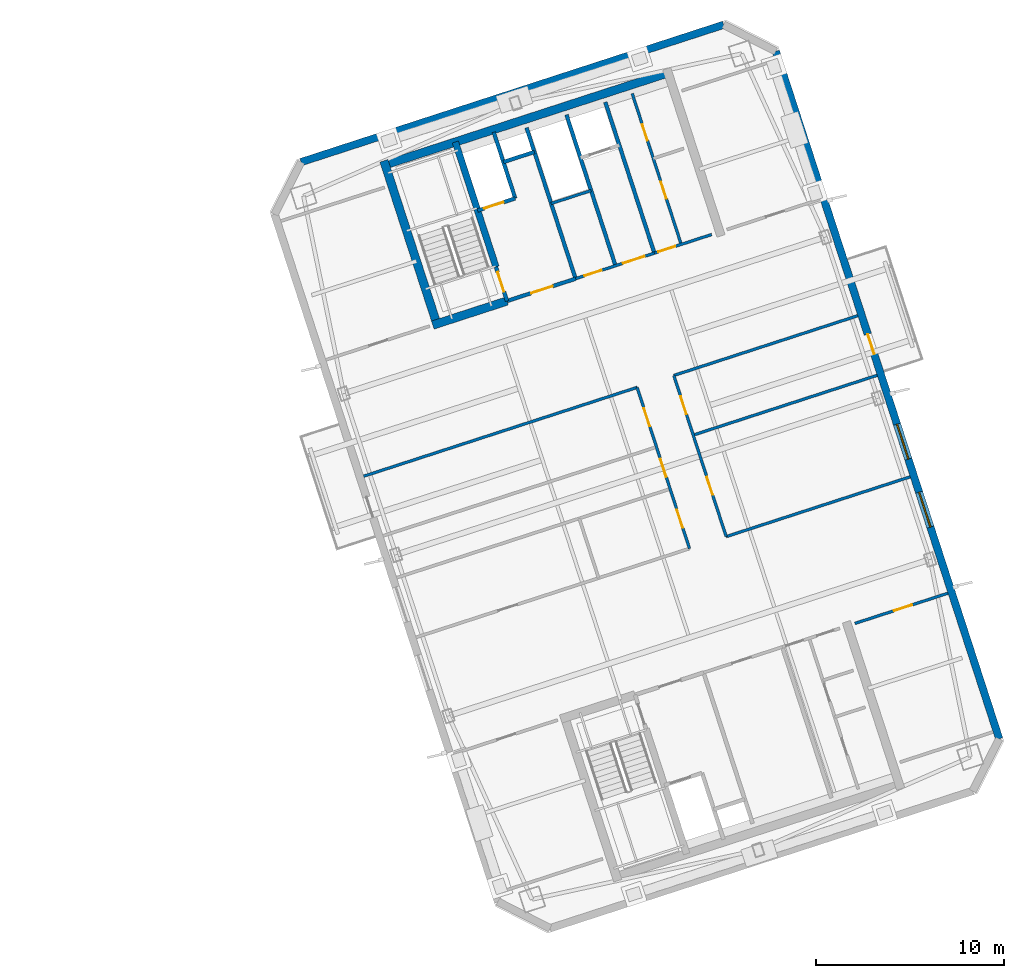
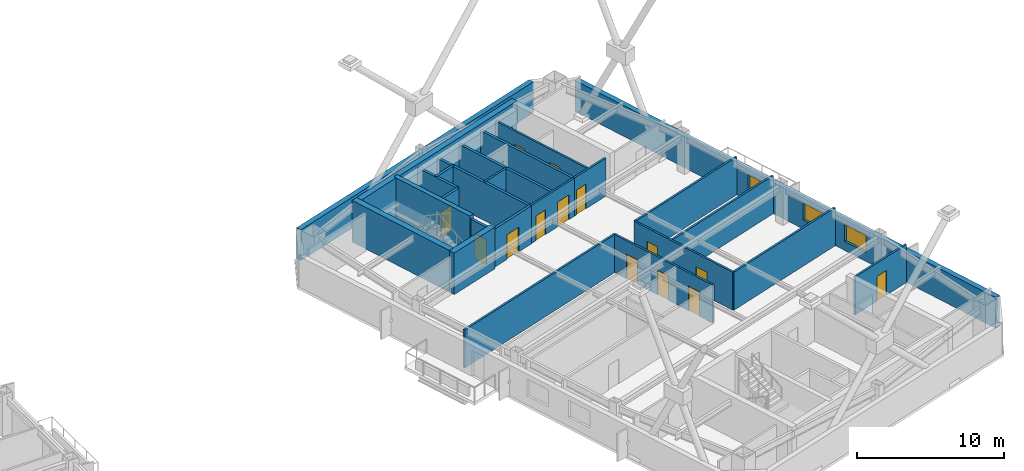
# One storey, part 10 of 18: 25 walls, 15 doors, 2 windows, 17 openings.
"""IFC4 building model written with IfcOpenShell, lengths in metres."""

from ifc_helpers import new_model, si_unit, direction, frame, frame_2d, origin, place, context, subcontext, project, spatial, rectangle, extrude, material, layer, layer_set, type_object, element, fill, save


model = new_model("IFC4")

# Units and contexts
model_context = context("Model", 3, precision=1e-05, world=origin(), true_north=direction((0.0, 1.0)))
body_context = subcontext(model_context, "Body", "Model", "MODEL_VIEW")
ifc_project = project(units=[si_unit("LENGTHUNIT", "METRE"), si_unit("AREAUNIT", "SQUARE_METRE"), si_unit("VOLUMEUNIT", "CUBIC_METRE"), si_unit("PLANEANGLEUNIT", "RADIAN"), si_unit("MASSUNIT", "GRAM", prefix="KILO")], contexts=[model_context])

# Site, building, storey
site_placement = place(None, origin())
site = spatial("IfcSite", under=ifc_project, at=site_placement, CompositionType="ELEMENT")
building_placement = place(site_placement, origin())
building = spatial("IfcBuilding", under=site, at=building_placement, Name="Qiaolan Cultural Towers", CompositionType="ELEMENT")
storey_placement = place(building_placement, frame((0.0, 0.0, 226.550048828125)))
storey = spatial("IfcBuildingStorey", under=building, at=storey_placement, Name="L61", CompositionType="ELEMENT", Elevation=226.550048828125)

# Walls
ifc_material_1 = material(Name="Concrete C50", Category="concrete")
ifc_layer_1 = layer(ifc_material_1, 0.35009765625)
ifc_layer_set_1 = layer_set([ifc_layer_1], Name="Concrete C50")
wall_type_1 = type_object("IfcWallType", Name="WL-CORE-350", PredefinedType="SHEAR", material=ifc_layer_set_1)
wall_1_placement = place(storey_placement, frame((82.513671875, 45.13134765625, 0.0), z_axis=(0.0, 0.0, 1.0), x_axis=(-0.308988790936, 0.951065679686, 0.0)))
element("IfcWall", 1, at=wall_1_placement, inside=storey, type_object=wall_type_1, Name="L61 T2-CN Stair Core Dividing Web", PredefinedType="SHEAR", context=body_context, shape_type="SweptSolid", body=[
    extrude(rectangle(XDim=6.97998046875, YDim=0.35009765625, at=frame_2d((3.489990234375, 0.0))), origin(), (0.0, 0.0, 1.0), 3.449951171875),
])
ifc_material_2 = material(Name="Concrete C50", Category="concrete")
ifc_layer_2 = layer(ifc_material_2, 0.449951171875)
ifc_layer_set_2 = layer_set([ifc_layer_2], Name="Concrete C50")
wall_type_2 = type_object("IfcWallType", Name="WL-CORE-450", PredefinedType="SHEAR", material=ifc_layer_set_2)
wall_2_placement = place(storey_placement, frame((76.414794921875, 50.489013671875, 0.0), z_axis=(0.0, 0.0, 1.0), x_axis=(0.951056810414, 0.309016089169, 0.0)))
element("IfcWall", 2, at=wall_2_placement, inside=storey, type_object=wall_type_2, Name="L61 T2-CN Outer Core Shear Wall", PredefinedType="SHEAR", context=body_context, shape_type="SweptSolid", body=[
    extrude(rectangle(XDim=16.25, YDim=0.449951171875, at=frame_2d((8.125, 0.0))), origin(), (0.0, 0.0, 1.0), 3.449951171875),
])
wall_3_placement = place(storey_placement, frame((79.4423828125, 41.899169921875, 0.0), z_axis=(0.0, 0.0, 1.0), x_axis=(-0.309035778627, 0.951050412717, 0.0)))
element("IfcWall", 3, at=wall_3_placement, inside=storey, type_object=wall_type_2, Name="L61 T2-CN West Core Shear Wall", PredefinedType="SHEAR", context=body_context, shape_type="SweptSolid", body=[
    extrude(rectangle(XDim=9.330078125, YDim=0.449951171875, at=frame_2d((4.6650390625, 0.0))), origin(), (0.0, 0.0, 1.0), 3.449951171875),
])
wall_4_placement = place(storey_placement, frame((79.15869140625, 42.04345703125, 0.0), z_axis=(0.0, 0.0, 1.0), x_axis=(0.951047485828, 0.309044785913, 0.0)))
element("IfcWall", 4, at=wall_4_placement, inside=storey, type_object=wall_type_2, Name="L61 T2-CN Stair Front Shear Wall", PredefinedType="SHEAR", context=body_context, shape_type="SweptSolid", body=[
    extrude(rectangle(XDim=4.14501953125, YDim=0.449951171875, at=frame_2d((2.072509765625, 0.0))), origin(), (0.0, 0.0, 1.0), 3.449951171875),
])
ifc_material_3 = material(Name="Precast Concrete C50 Honed Stone Pier", Category="masonry")
ifc_layer_3 = layer(ifc_material_3, 0.39990234375)
ifc_layer_set_3 = layer_set([ifc_layer_3], Name="Precast Concrete C50 Honed Stone Pier")
wall_type_3 = type_object("IfcWallType", Name="WL-EXT-PIER-400", PredefinedType="SOLIDWALL", material=ifc_layer_set_3)
wall_5_placement = place(storey_placement, frame((72.16455078125, 50.706298828125, 0.0), z_axis=(0.0, 0.0, 1.0), x_axis=(0.951058012937, 0.309012388148, 0.0)))
element("IfcWall", 5, at=wall_5_placement, inside=storey, type_object=wall_type_3, Name="L61 East Tower Precast Pier Facade Wall F3", PredefinedType="SOLIDWALL", context=body_context, shape_type="SweptSolid", body=[
    extrude(rectangle(XDim=23.60009765625, YDim=0.39990234375, at=frame_2d((11.800048828125, 0.0))), origin(), (0.0, 0.0, 1.0), 2.550048828125),
])

# Wall, openings, door, windows
wall_6_placement = place(storey_placement, frame((97.381591796875, 56.58642578125, 0.0), z_axis=(0.0, 0.0, 1.0), x_axis=(0.309016491071, -0.951056679828, 0.0)))
wall_6 = element("IfcWall", 6, at=wall_6_placement, inside=storey, type_object=wall_type_3, Name="L61 East Tower Precast Pier Facade Wall F5", PredefinedType="SOLIDWALL", context=body_context, shape_type="SweptSolid", body=[
    extrude(rectangle(XDim=38.39990234375, YDim=0.39990234375, at=frame_2d((19.199951171875, 0.0))), origin(), (0.0, 0.0, 1.0), 2.550048828125),
])
opening_1_placement = place(wall_6_placement, frame((24.625, 0.0, 0.75)))
opening_1 = element("IfcOpeningElement", 7, at=opening_1_placement, cuts=wall_6, Name="Opening W-06", PredefinedType="OPENING", context=body_context, shape_type="SweptSolid", body=[
    extrude(rectangle(XDim=1.949951171875, YDim=1.39990234375, at=frame_2d((0.97509765625, 0.699951171875))), frame((0.0, 0.2099609375, 0.0), z_axis=(0.0, -1.0, 0.0), x_axis=(1.0, 0.0, 0.0)), (0.0, 0.0, 1.0), 0.419921875),
])
opening_2_placement = place(wall_6_placement, frame((20.824951171875, 0.0, 0.75)))
opening_2 = element("IfcOpeningElement", 8, at=opening_2_placement, cuts=wall_6, Name="Opening W-06", PredefinedType="OPENING", context=body_context, shape_type="SweptSolid", body=[
    extrude(rectangle(XDim=1.949951171875, YDim=1.39990234375, at=frame_2d((0.97509765625, 0.699951171875))), frame((0.0, 0.2099609375, 0.0), z_axis=(0.0, -1.0, 0.0), x_axis=(1.0, 0.0, 0.0)), (0.0, 0.0, 1.0), 0.419921875),
])
opening_3_placement = place(wall_6_placement, frame((15.800048828125, 0.0, 0.0)))
opening_3 = element("IfcOpeningElement", 9, at=opening_3_placement, cuts=wall_6, Name="Opening BD-01", PredefinedType="OPENING", context=body_context, shape_type="SweptSolid", body=[
    extrude(rectangle(XDim=1.10009765625, YDim=2.14990234375, at=frame_2d((0.550048828125, 1.074951171875))), frame((0.0, 0.2099609375, 0.0), z_axis=(0.0, -1.0, 0.0), x_axis=(1.0, 0.0, 0.0)), (0.0, 0.0, 1.0), 0.419921875),
])
ifc_material_4 = material(Name="Thermally Broken Aluminium Glazed Terrace Door", Category="aluminium")
door_type_1 = type_object("IfcDoorType", Name="DR-BAL-1100", OperationType="NOTDEFINED", PredefinedType="DOOR", material=ifc_material_4)
door_1_placement = place(opening_3_placement, origin())
door_1 = element("IfcDoor", 10, at=door_1_placement, inside=storey, type_object=door_type_1, Name="L61 T2 East Tree Balcony Door", OperationType="SINGLE_SWING_RIGHT", OverallHeight=2.14990234375, OverallWidth=1.10009765625, PredefinedType="DOOR", context=body_context, shape_type="SweptSolid", body=[
    extrude(rectangle(XDim=1.10009765625, YDim=2.14990234375, at=frame_2d((0.550048828125, 1.074951171875))), frame((0.0, 0.02490234375, 0.0), z_axis=(0.0, -1.0, 0.0), x_axis=(1.0, 0.0, 0.0)), (0.0, 0.0, 1.0), 0.050048828125),
])
fill(opening_3, door_1)
ifc_material_5 = material(Name="Thermally Broken Aluminium Triple Low-E Glazing", Category="aluminium")
window_type = type_object("IfcWindowType", Name="WN-CHIC-1950", PartitioningType="SINGLE_PANEL", PredefinedType="WINDOW", material=ifc_material_5)
window_1_placement = place(opening_1_placement, origin())
window_1 = element("IfcWindow", 11, at=window_1_placement, inside=storey, type_object=window_type, Name="L61 T2 E Chicago Bay Window 1", OverallHeight=1.39990234375, OverallWidth=1.949951171875, PartitioningType="TRIPLE_PANEL_VERTICAL", PredefinedType="WINDOW", context=body_context, shape_type="SweptSolid", body=[
    extrude(rectangle(XDim=1.949951171875, YDim=1.39990234375, at=frame_2d((0.97509765625, 0.699951171875))), frame((0.0, 0.030029296875, 0.0), z_axis=(0.0, -1.0, 0.0), x_axis=(1.0, 0.0, 0.0)), (0.0, 0.0, 1.0), 0.06005859375),
])
fill(opening_1, window_1)
window_2_placement = place(opening_2_placement, origin())
window_2 = element("IfcWindow", 12, at=window_2_placement, inside=storey, type_object=window_type, Name="L61 T2 E Chicago Bay Window 2", OverallHeight=1.39990234375, OverallWidth=1.949951171875, PartitioningType="TRIPLE_PANEL_VERTICAL", PredefinedType="WINDOW", context=body_context, shape_type="SweptSolid", body=[
    extrude(rectangle(XDim=1.949951171875, YDim=1.39990234375, at=frame_2d((0.97509765625, 0.699951171875))), frame((0.0, 0.030029296875, 0.0), z_axis=(0.0, -1.0, 0.0), x_axis=(1.0, 0.0, 0.0)), (0.0, 0.0, 1.0), 0.06005859375),
])
fill(opening_2, window_2)

# Wall, opening, door
ifc_material_6 = material(Name="Concrete C35 Fire Wall", Category="concrete")
ifc_layer_4 = layer(ifc_material_6, 0.199951171875)
ifc_layer_set_4 = layer_set([ifc_layer_4], Name="Concrete C35 Fire Wall")
wall_type_4 = type_object("IfcWallType", Name="WL-FIRE-200", PredefinedType="PARTITIONING", material=ifc_layer_set_4)
wall_7_placement = place(storey_placement, frame((83.100830078125, 43.324462890625, 0.0), z_axis=(0.0, 0.0, 1.0), x_axis=(-0.309048298632, 0.951046344356, 0.0)))
wall_7 = element("IfcWall", 13, at=wall_7_placement, inside=storey, type_object=wall_type_4, Name="L61 T2-CN Smokeproof Stair Entry Wall", PredefinedType="PARTITIONING", context=body_context, shape_type="SweptSolid", body=[
    extrude(rectangle(XDim=1.89990234375, YDim=0.199951171875, at=frame_2d((0.949951171875, 0.0))), origin(), (0.0, 0.0, 1.0), 3.155029296875),
])
opening_4_placement = place(wall_7_placement, frame((0.52001953125, 0.0, 0.0)))
opening_4 = element("IfcOpeningElement", 14, at=opening_4_placement, cuts=wall_7, Name="Opening FD-04", PredefinedType="OPENING", context=body_context, shape_type="SweptSolid", body=[
    extrude(rectangle(XDim=1.10009765625, YDim=2.050048828125, at=frame_2d((0.550048828125, 1.02490234375))), frame((0.0, 0.10986328125, 0.0), z_axis=(0.0, -1.0, 0.0), x_axis=(1.0, 0.0, 0.0)), (0.0, 0.0, 1.0), 0.219970703125),
])
ifc_material_7 = material(Name="Galvanized Steel Command Fire Door", Category="steel")
door_type_2 = type_object("IfcDoorType", Name="DR-FD90-1100", OperationType="NOTDEFINED", PredefinedType="DOOR", material=ifc_material_7)
door_2_placement = place(opening_4_placement, origin())
door_2 = element("IfcDoor", 15, at=door_2_placement, inside=storey, type_object=door_type_2, Name="L61 ST-E2 Smokeproof Stair Fire Door", OperationType="SINGLE_SWING_LEFT", OverallHeight=2.050048828125, OverallWidth=1.10009765625, PredefinedType="DOOR", context=body_context, shape_type="SweptSolid", body=[
    extrude(rectangle(XDim=1.10009765625, YDim=2.050048828125, at=frame_2d((0.550048828125, 1.02490234375))), frame((0.0, 0.02490234375, 0.0), z_axis=(0.0, -1.0, 0.0), x_axis=(1.0, 0.0, 0.0)), (0.0, 0.0, 1.0), 0.050048828125),
])
fill(opening_4, door_2)

# Wall
wall_8_placement = place(storey_placement, frame((86.743408203125, 44.508056640625, 0.0), z_axis=(0.0, 0.0, 1.0), x_axis=(-0.309016001439, 0.951056838919, 0.0)))
element("IfcWall", 16, at=wall_8_placement, inside=storey, type_object=wall_type_4, Name="L61 T2-CN Firefighting Zone Wall", PredefinedType="PARTITIONING", context=body_context, shape_type="SweptSolid", body=[
    extrude(rectangle(XDim=8.429931640625, YDim=0.199951171875, at=frame_2d((4.21484375, 0.0))), origin(), (0.0, 0.0, 1.0), 3.155029296875),
])

# Wall, opening, door
wall_9_placement = place(storey_placement, frame((83.100830078125, 43.324462890625, 0.0), z_axis=(0.0, 0.0, 1.0), x_axis=(0.951052804469, 0.309028417967, 0.0)))
wall_9 = element("IfcWall", 17, at=wall_9_placement, inside=storey, type_object=wall_type_4, Name="L61 T2-CN Firefighting Lobby Front Wall", PredefinedType="PARTITIONING", context=body_context, shape_type="SweptSolid", body=[
    extrude(rectangle(XDim=3.830078125, YDim=0.199951171875, at=frame_2d((1.9150390625, 0.0))), origin(), (0.0, 0.0, 1.0), 3.155029296875),
])
opening_5_placement = place(wall_9_placement, frame((1.35009765625, 0.0, 0.0)))
opening_5 = element("IfcOpeningElement", 18, at=opening_5_placement, cuts=wall_9, Name="Opening FD-03", PredefinedType="OPENING", context=body_context, shape_type="SweptSolid", body=[
    extrude(rectangle(XDim=1.199951171875, YDim=2.050048828125, at=frame_2d((0.60009765625, 1.02490234375))), frame((0.0, 0.10986328125, 0.0), z_axis=(0.0, -1.0, 0.0), x_axis=(1.0, 0.0, 0.0)), (0.0, 0.0, 1.0), 0.219970703125),
])
ifc_material_8 = material(Name="Galvanized Steel Smokeproof Lobby Fire Door", Category="steel")
door_type_3 = type_object("IfcDoorType", Name="DR-FD90-1200", OperationType="NOTDEFINED", PredefinedType="DOOR", material=ifc_material_8)
door_3_placement = place(opening_5_placement, origin())
door_3 = element("IfcDoor", 19, at=door_3_placement, inside=storey, type_object=door_type_3, Name="L61 FFL-E2 Firefighting Lobby Fire Door", OperationType="SINGLE_SWING_LEFT", OverallHeight=2.050048828125, OverallWidth=1.199951171875, PredefinedType="DOOR", context=body_context, shape_type="SweptSolid", body=[
    extrude(rectangle(XDim=1.199951171875, YDim=2.050048828125, at=frame_2d((0.60009765625, 1.02490234375))), frame((0.0, 0.02490234375, 0.0), z_axis=(0.0, -1.0, 0.0), x_axis=(1.0, 0.0, 0.0)), (0.0, 0.0, 1.0), 0.050048828125),
])
fill(opening_5, door_3)

wall_10_placement = place(storey_placement, frame((81.540283203125, 48.127197265625, 0.0), z_axis=(0.0, 0.0, 1.0), x_axis=(0.951062257173, 0.308999325213, 0.0)))
wall_10 = element("IfcWall", 20, at=wall_10_placement, inside=storey, type_object=wall_type_4, Name="L61 T2-CN Firefighting Shaft Front Wall", PredefinedType="PARTITIONING", context=body_context, shape_type="SweptSolid", body=[
    extrude(rectangle(XDim=2.10009765625, YDim=0.199951171875, at=frame_2d((1.050048828125, 0.0))), origin(), (0.0, 0.0, 1.0), 3.155029296875),
])
opening_6_placement = place(wall_10_placement, frame((0.35009765625, 0.0, 0.0)))
opening_6 = element("IfcOpeningElement", 21, at=opening_6_placement, cuts=wall_10, Name="Opening LD-01", PredefinedType="OPENING", context=body_context, shape_type="SweptSolid", body=[
    extrude(rectangle(XDim=1.10009765625, YDim=2.050048828125, at=frame_2d((0.550048828125, 1.02490234375))), frame((0.0, 0.10986328125, 0.0), z_axis=(0.0, -1.0, 0.0), x_axis=(1.0, 0.0, 0.0)), (0.0, 0.0, 1.0), 0.219970703125),
])
ifc_material_9 = material(Name="Brushed Stainless Steel S30408 Centre-Parting Lift Landing Door", Category="steel")
door_type_4 = type_object("IfcDoorType", Name="DR-LIFT-1100", OperationType="NOTDEFINED", PredefinedType="DOOR", material=ifc_material_9)
door_4_placement = place(opening_6_placement, origin())
door_4 = element("IfcDoor", 22, at=door_4_placement, inside=storey, type_object=door_type_4, Name="L61 FFL-E2 Firefighting Lift Landing Door", OperationType="DOUBLE_DOOR_SLIDING", OverallHeight=2.050048828125, OverallWidth=1.10009765625, PredefinedType="DOOR", context=body_context, shape_type="SweptSolid", body=[
    extrude(rectangle(XDim=1.10009765625, YDim=2.050048828125, at=frame_2d((0.550048828125, 1.02490234375))), frame((0.0, 0.02490234375, 0.0), z_axis=(0.0, -1.0, 0.0), x_axis=(1.0, 0.0, 0.0)), (0.0, 0.0, 1.0), 0.050048828125),
])
fill(opening_6, door_4)

# Walls
wall_11_placement = place(storey_placement, frame((83.53759765625, 48.776123046875, 0.0), z_axis=(0.0, 0.0, 1.0), x_axis=(-0.3089935693, 0.951064127245, 0.0)))
element("IfcWall", 23, at=wall_11_placement, inside=storey, type_object=wall_type_4, Name="L61 T2-CN Firefighting Hoistway East Wall", PredefinedType="PARTITIONING", context=body_context, shape_type="SweptSolid", body=[
    extrude(rectangle(XDim=3.7001953125, YDim=0.199951171875, at=frame_2d((1.85009765625, 0.0))), origin(), (0.0, 0.0, 1.0), 3.155029296875),
])
wall_12_placement = place(storey_placement, frame((82.910400390625, 50.706787109375, 0.0), z_axis=(0.0, 0.0, 1.0), x_axis=(0.951041328149, 0.309063734775, 0.0)))
element("IfcWall", 24, at=wall_12_placement, inside=storey, type_object=wall_type_4, Name="L61 T2-CN Pressurization Shaft Front Wall", PredefinedType="PARTITIONING", context=body_context, shape_type="SweptSolid", body=[
    extrude(rectangle(XDim=1.72998046875, YDim=0.199951171875, at=frame_2d((0.864990234375, 0.0))), origin(), (0.0, 0.0, 1.0), 3.155029296875),
])
wall_13_placement = place(storey_placement, frame((90.92822265625, 45.86767578125, 0.0), z_axis=(0.0, 0.0, 1.0), x_axis=(-0.309042196757, 0.951048327176, 0.0)))
element("IfcWall", 25, at=wall_13_placement, inside=storey, type_object=wall_type_4, Name="L61 T2-CN Lift Core East Wall", PredefinedType="PARTITIONING", context=body_context, shape_type="SweptSolid", body=[
    extrude(rectangle(XDim=8.429931640625, YDim=0.199951171875, at=frame_2d((4.21484375, 0.0))), origin(), (0.0, 0.0, 1.0), 3.155029296875),
])
wall_14_placement = place(storey_placement, frame((88.8642578125, 45.197021484375, 0.0), z_axis=(0.0, 0.0, 1.0), x_axis=(-0.309007490203, 0.951059604335, 0.0)))
element("IfcWall", 26, at=wall_14_placement, inside=storey, type_object=wall_type_4, Name="L61 T2-CN Sky Shuttle Lift Zone Wall", PredefinedType="PARTITIONING", context=body_context, shape_type="SweptSolid", body=[
    extrude(rectangle(XDim=8.43017578125, YDim=0.199951171875, at=frame_2d((4.215087890625, 0.0))), origin(), (0.0, 0.0, 1.0), 3.155029296875),
])

# Wall, openings, doors
ifc_material_10 = material(Name="Autoclaved Aerated Concrete Block B06", Category="concrete")
ifc_layer_5 = layer(ifc_material_10, 0.14990234375)
ifc_layer_set_5 = layer_set([ifc_layer_5], Name="Autoclaved Aerated Concrete Block B06")
wall_type_5 = type_object("IfcWallType", Name="WL-PART-150", PredefinedType="PARTITIONING", material=ifc_layer_set_5)
wall_15_placement = place(storey_placement, frame((86.743408203125, 44.508056640625, 0.0), z_axis=(0.0, 0.0, 1.0), x_axis=(0.951063829732, 0.308994485023, 0.0)))
wall_15 = element("IfcWall", 27, at=wall_15_placement, inside=storey, type_object=wall_type_5, Name="L61 T2-CN High-Zone Lift Lobby Wall", PredefinedType="PARTITIONING", context=body_context, shape_type="SweptSolid", body=[
    extrude(rectangle(XDim=4.400146484375, YDim=0.14990234375, at=frame_2d((2.2001953125, 0.0))), origin(), (0.0, 0.0, 1.0), 3.155029296875),
])
opening_7_placement = place(wall_15_placement, frame((0.5, 0.0, 0.0)))
opening_7 = element("IfcOpeningElement", 28, at=opening_7_placement, cuts=wall_15, Name="Opening ID-05", PredefinedType="OPENING", context=body_context, shape_type="SweptSolid", body=[
    extrude(rectangle(XDim=0.949951171875, YDim=2.050048828125, at=frame_2d((0.47509765625, 1.02490234375))), frame((0.0, 0.0849609375, 0.0), z_axis=(0.0, -1.0, 0.0), x_axis=(1.0, 0.0, 0.0)), (0.0, 0.0, 1.0), 0.169921875),
])
opening_8_placement = place(wall_15_placement, frame((2.64990234375, 0.0, 0.0)))
opening_8 = element("IfcOpeningElement", 29, at=opening_8_placement, cuts=wall_15, Name="Opening FD-06", PredefinedType="OPENING", context=body_context, shape_type="SweptSolid", body=[
    extrude(rectangle(XDim=1.199951171875, YDim=2.050048828125, at=frame_2d((0.60009765625, 1.02490234375))), frame((0.0, 0.0849609375, 0.0), z_axis=(0.0, -1.0, 0.0), x_axis=(1.0, 0.0, 0.0)), (0.0, 0.0, 1.0), 0.169921875),
])
ifc_material_11 = material(Name="Painted Steel Plant Fire Door", Category="steel")
door_type_5 = type_object("IfcDoorType", Name="DR-FD60-1200", OperationType="NOTDEFINED", PredefinedType="DOOR", material=ifc_material_11)
door_5_placement = place(opening_8_placement, origin())
door_5 = element("IfcDoor", 30, at=door_5_placement, inside=storey, type_object=door_type_5, Name="L61 Sky Shuttle Lift Lobby Door", OperationType="SINGLE_SWING_RIGHT", OverallHeight=2.050048828125, OverallWidth=1.199951171875, PredefinedType="DOOR", context=body_context, shape_type="SweptSolid", body=[
    extrude(rectangle(XDim=1.199951171875, YDim=2.050048828125, at=frame_2d((0.60009765625, 1.02490234375))), frame((0.0, 0.02490234375, 0.0), z_axis=(0.0, -1.0, 0.0), x_axis=(1.0, 0.0, 0.0)), (0.0, 0.0, 1.0), 0.050048828125),
])
fill(opening_8, door_5)
ifc_material_12 = material(Name="Fire-Rated Laminate Accessible Core Door", Category="timber")
door_type_6 = type_object("IfcDoorType", Name="DR-INT-950", OperationType="NOTDEFINED", PredefinedType="DOOR", material=ifc_material_12)
door_6_placement = place(opening_7_placement, origin())
door_6 = element("IfcDoor", 31, at=door_6_placement, inside=storey, type_object=door_type_6, Name="L61 Reclaimed Server Room Door", OperationType="SINGLE_SWING_LEFT", OverallHeight=2.050048828125, OverallWidth=0.949951171875, PredefinedType="DOOR", context=body_context, shape_type="SweptSolid", body=[
    extrude(rectangle(XDim=0.949951171875, YDim=2.050048828125, at=frame_2d((0.47509765625, 1.02490234375))), frame((0.0, 0.02490234375, 0.0), z_axis=(0.0, -1.0, 0.0), x_axis=(1.0, 0.0, 0.0)), (0.0, 0.0, 1.0), 0.050048828125),
])
fill(opening_7, door_6)

# Wall
wall_16_placement = place(storey_placement, frame((85.445556640625, 48.50244140625, 0.0), z_axis=(0.0, 0.0, 1.0), x_axis=(0.951075093106, 0.308959814982, 0.0)))
element("IfcWall", 32, at=wall_16_placement, inside=storey, type_object=wall_type_5, Name="L61 T2-CN High-Zone Reclaimed Split", PredefinedType="PARTITIONING", context=body_context, shape_type="SweptSolid", body=[
    extrude(rectangle(XDim=2.22998046875, YDim=0.14990234375, at=frame_2d((1.114990234375, 0.0))), origin(), (0.0, 0.0, 1.0), 3.155029296875),
])

# Wall, opening, door
wall_17_placement = place(storey_placement, frame((90.92822265625, 45.86767578125, 0.0), z_axis=(0.0, 0.0, 1.0), x_axis=(0.951059297078, 0.309008435874, 0.0)))
wall_17 = element("IfcWall", 33, at=wall_17_placement, inside=storey, type_object=wall_type_5, Name="L61 T2-CN Sanitary Core Front Wall", PredefinedType="PARTITIONING", context=body_context, shape_type="SweptSolid", body=[
    extrude(rectangle(XDim=3.19970703125, YDim=0.14990234375, at=frame_2d((1.599853515625, 0.0))), origin(), (0.0, 0.0, 1.0), 3.155029296875),
])
opening_9_placement = place(wall_17_placement, frame((0.219970703125, 0.0, 0.0)))
opening_9 = element("IfcOpeningElement", 34, at=opening_9_placement, cuts=wall_17, Name="Opening ID-05", PredefinedType="OPENING", context=body_context, shape_type="SweptSolid", body=[
    extrude(rectangle(XDim=0.949951171875, YDim=2.050048828125, at=frame_2d((0.47509765625, 1.02490234375))), frame((0.0, 0.0849609375, 0.0), z_axis=(0.0, -1.0, 0.0), x_axis=(1.0, 0.0, 0.0)), (0.0, 0.0, 1.0), 0.169921875),
])
door_7_placement = place(opening_9_placement, origin())
door_7 = element("IfcDoor", 35, at=door_7_placement, inside=storey, type_object=door_type_6, Name="L61 Sanitary Lobby Door", OperationType="SINGLE_SWING_LEFT", OverallHeight=2.050048828125, OverallWidth=0.949951171875, PredefinedType="DOOR", context=body_context, shape_type="SweptSolid", body=[
    extrude(rectangle(XDim=0.949951171875, YDim=2.050048828125, at=frame_2d((0.47509765625, 1.02490234375))), frame((0.0, 0.02490234375, 0.0), z_axis=(0.0, -1.0, 0.0), x_axis=(1.0, 0.0, 0.0)), (0.0, 0.0, 1.0), 0.050048828125),
])
fill(opening_9, door_7)

# Wall, openings, doors
wall_18_placement = place(storey_placement, frame((92.354736328125, 46.3310546875, 0.0), z_axis=(0.0, 0.0, 1.0), x_axis=(-0.309007490203, 0.951059604335, 0.0)))
wall_18 = element("IfcWall", 36, at=wall_18_placement, inside=storey, type_object=wall_type_5, Name="L61 T2-CN Washroom Split Wall", PredefinedType="PARTITIONING", context=body_context, shape_type="SweptSolid", body=[
    extrude(rectangle(XDim=8.43017578125, YDim=0.14990234375, at=frame_2d((4.215087890625, 0.0))), origin(), (0.0, 0.0, 1.0), 3.155029296875),
])
opening_10_placement = place(wall_18_placement, frame((2.550048828125, 0.0, 0.0)))
opening_10 = element("IfcOpeningElement", 37, at=opening_10_placement, cuts=wall_18, Name="Opening ID-05", PredefinedType="OPENING", context=body_context, shape_type="SweptSolid", body=[
    extrude(rectangle(XDim=0.949951171875, YDim=2.050048828125, at=frame_2d((0.47509765625, 1.02490234375))), frame((0.0, 0.0849609375, 0.0), z_axis=(0.0, -1.0, 0.0), x_axis=(1.0, 0.0, 0.0)), (0.0, 0.0, 1.0), 0.169921875),
])
opening_11_placement = place(wall_18_placement, frame((5.800048828125, 0.0, 0.0)))
opening_11 = element("IfcOpeningElement", 38, at=opening_11_placement, cuts=wall_18, Name="Opening ID-06", PredefinedType="OPENING", context=body_context, shape_type="SweptSolid", body=[
    extrude(rectangle(XDim=0.89990234375, YDim=2.050048828125, at=frame_2d((0.449951171875, 1.02490234375))), frame((0.0, 0.0849609375, 0.0), z_axis=(0.0, -1.0, 0.0), x_axis=(1.0, 0.0, 0.0)), (0.0, 0.0, 1.0), 0.169921875),
])
ifc_material_13 = material(Name="Fire-Rated Laminate Core Service Door", Category="timber")
door_type_7 = type_object("IfcDoorType", Name="DR-INT-900", OperationType="NOTDEFINED", PredefinedType="DOOR", material=ifc_material_13)
door_8_placement = place(opening_11_placement, origin())
door_8 = element("IfcDoor", 39, at=door_8_placement, inside=storey, type_object=door_type_7, Name="L61 First-Aid Room Door", OperationType="SINGLE_SWING_RIGHT", OverallHeight=2.050048828125, OverallWidth=0.89990234375, PredefinedType="DOOR", context=body_context, shape_type="SweptSolid", body=[
    extrude(rectangle(XDim=0.89990234375, YDim=2.050048828125, at=frame_2d((0.449951171875, 1.02490234375))), frame((0.0, 0.02490234375, 0.0), z_axis=(0.0, -1.0, 0.0), x_axis=(1.0, 0.0, 0.0)), (0.0, 0.0, 1.0), 0.050048828125),
])
fill(opening_11, door_8)
door_9_placement = place(opening_10_placement, origin())
door_9 = element("IfcDoor", 40, at=door_9_placement, inside=storey, type_object=door_type_6, Name="L61 Accessible Washroom Door", OperationType="SINGLE_SWING_LEFT", OverallHeight=2.050048828125, OverallWidth=0.949951171875, PredefinedType="DOOR", context=body_context, shape_type="SweptSolid", body=[
    extrude(rectangle(XDim=0.949951171875, YDim=2.050048828125, at=frame_2d((0.47509765625, 1.02490234375))), frame((0.0, 0.02490234375, 0.0), z_axis=(0.0, -1.0, 0.0), x_axis=(1.0, 0.0, 0.0)), (0.0, 0.0, 1.0), 0.050048828125),
])
fill(opening_10, door_9)

# Wall, opening, door
wall_19_placement = place(storey_placement, frame((101.578369140625, 26.196044921875, 0.0), z_axis=(0.0, 0.0, 1.0), x_axis=(0.951064427824, 0.308992644131, 0.0)))
wall_19 = element("IfcWall", 41, at=wall_19_placement, inside=storey, type_object=wall_type_5, Name="L61 T2 Flank Front FLK-SE", PredefinedType="PARTITIONING", context=body_context, shape_type="SweptSolid", body=[
    extrude(rectangle(XDim=5.19970703125, YDim=0.14990234375, at=frame_2d((2.599853515625, 0.0))), origin(), (0.0, 0.0, 1.0), 3.155029296875),
])
opening_12_placement = place(wall_19_placement, frame((2.18408203125, 0.0, 0.0)))
opening_12 = element("IfcOpeningElement", 42, at=opening_12_placement, cuts=wall_19, Name="Opening ID-04", PredefinedType="OPENING", context=body_context, shape_type="SweptSolid", body=[
    extrude(rectangle(XDim=1.0, YDim=2.050048828125, at=frame_2d((0.5, 1.02490234375))), frame((0.0, 0.0849609375, 0.0), z_axis=(0.0, -1.0, 0.0), x_axis=(1.0, 0.0, 0.0)), (0.0, 0.0, 1.0), 0.169921875),
])
ifc_material_14 = material(Name="Oak Veneer Acoustic Office Door", Category="timber")
door_type_8 = type_object("IfcDoorType", Name="DR-INT-1000", OperationType="NOTDEFINED", PredefinedType="DOOR", material=ifc_material_14)
door_10_placement = place(opening_12_placement, origin())
door_10 = element("IfcDoor", 43, at=door_10_placement, inside=storey, type_object=door_type_8, Name="L61 T2 Corner Studio Door", OperationType="SINGLE_SWING_LEFT", OverallHeight=2.050048828125, OverallWidth=1.0, PredefinedType="DOOR", context=body_context, shape_type="SweptSolid", body=[
    extrude(rectangle(XDim=1.0, YDim=2.050048828125, at=frame_2d((0.5, 1.02490234375))), frame((0.0, 0.02490234375, 0.0), z_axis=(0.0, -1.0, 0.0), x_axis=(1.0, 0.0, 0.0)), (0.0, 0.0, 1.0), 0.050048828125),
])
fill(opening_12, door_10)

# Walls
wall_20_placement = place(storey_placement, frame((94.7431640625, 30.8095703125, 0.0), z_axis=(0.0, 0.0, 1.0), x_axis=(0.951058162647, 0.309011927378, 0.0)))
element("IfcWall", 44, at=wall_20_placement, inside=storey, type_object=wall_type_5, Name="L61 T2 South Foyer East Wall", PredefinedType="PARTITIONING", context=body_context, shape_type="SweptSolid", body=[
    extrude(rectangle(XDim=10.27490234375, YDim=0.14990234375, at=frame_2d((5.137451171875, 0.0))), origin(), (0.0, 0.0, 1.0), 3.155029296875),
])
wall_21_placement = place(storey_placement, frame((75.48486328125, 34.015380859375, 0.0), z_axis=(0.0, 0.0, 1.0), x_axis=(0.951056617779, 0.30901668204, 0.0)))
element("IfcWall", 45, at=wall_21_placement, inside=storey, type_object=wall_type_5, Name="L61 T2 North Foyer West Wall", PredefinedType="PARTITIONING", context=body_context, shape_type="SweptSolid", body=[
    extrude(rectangle(XDim=15.27490234375, YDim=0.14990234375, at=frame_2d((7.637451171875, 0.0))), origin(), (0.0, 0.0, 1.0), 3.155029296875),
])
wall_22_placement = place(storey_placement, frame((91.9619140625, 39.369140625, 0.0), z_axis=(0.0, 0.0, 1.0), x_axis=(0.951058162647, 0.309011927378, 0.0)))
element("IfcWall", 46, at=wall_22_placement, inside=storey, type_object=wall_type_5, Name="L61 T2 North Foyer East Wall", PredefinedType="PARTITIONING", context=body_context, shape_type="SweptSolid", body=[
    extrude(rectangle(XDim=10.27490234375, YDim=0.14990234375, at=frame_2d((5.137451171875, 0.0))), origin(), (0.0, 0.0, 1.0), 3.155029296875),
])

# Wall, openings, doors
wall_23_placement = place(storey_placement, frame((92.79345703125, 30.176025390625, 0.0), z_axis=(0.0, 0.0, 1.0), x_axis=(-0.309024734286, 0.951054001411, 0.0)))
wall_23 = element("IfcWall", 47, at=wall_23_placement, inside=storey, type_object=wall_type_5, Name="L61 T2 Central Spine West Wall", PredefinedType="PARTITIONING", context=body_context, shape_type="SweptSolid", body=[
    extrude(rectangle(XDim=9.0, YDim=0.14990234375, at=frame_2d((4.5, 0.0))), origin(), (0.0, 0.0, 1.0), 3.155029296875),
])
opening_13_placement = place(wall_23_placement, frame((1.1650390625, 0.0, 0.0)))
opening_13 = element("IfcOpeningElement", 48, at=opening_13_placement, cuts=wall_23, Name="Opening ID-04", PredefinedType="OPENING", context=body_context, shape_type="SweptSolid", body=[
    extrude(rectangle(XDim=1.0, YDim=2.050048828125, at=frame_2d((0.5, 1.02490234375))), frame((0.0, 0.0849609375, 0.0), z_axis=(0.0, -1.0, 0.0), x_axis=(1.0, 0.0, 0.0)), (0.0, 0.0, 1.0), 0.169921875),
])
opening_14_placement = place(wall_23_placement, frame((4.0, 0.0, 0.0)))
opening_14 = element("IfcOpeningElement", 49, at=opening_14_placement, cuts=wall_23, Name="Opening ID-04", PredefinedType="OPENING", context=body_context, shape_type="SweptSolid", body=[
    extrude(rectangle(XDim=1.0, YDim=2.050048828125, at=frame_2d((0.5, 1.02490234375))), frame((0.0, 0.0849609375, 0.0), z_axis=(0.0, -1.0, 0.0), x_axis=(1.0, 0.0, 0.0)), (0.0, 0.0, 1.0), 0.169921875),
])
opening_15_placement = place(wall_23_placement, frame((6.8349609375, 0.0, 0.0)))
opening_15 = element("IfcOpeningElement", 50, at=opening_15_placement, cuts=wall_23, Name="Opening ID-04", PredefinedType="OPENING", context=body_context, shape_type="SweptSolid", body=[
    extrude(rectangle(XDim=1.0, YDim=2.050048828125, at=frame_2d((0.5, 1.02490234375))), frame((0.0, 0.0849609375, 0.0), z_axis=(0.0, -1.0, 0.0), x_axis=(1.0, 0.0, 0.0)), (0.0, 0.0, 1.0), 0.169921875),
])
door_11_placement = place(opening_13_placement, origin())
door_11 = element("IfcDoor", 51, at=door_11_placement, inside=storey, type_object=door_type_8, Name="L61 T2 Executive Tower Office Door", OperationType="SINGLE_SWING_RIGHT", OverallHeight=2.050048828125, OverallWidth=1.0, PredefinedType="DOOR", context=body_context, shape_type="SweptSolid", body=[
    extrude(rectangle(XDim=1.0, YDim=2.050048828125, at=frame_2d((0.5, 1.02490234375))), frame((0.0, 0.02490234375, 0.0), z_axis=(0.0, -1.0, 0.0), x_axis=(1.0, 0.0, 0.0)), (0.0, 0.0, 1.0), 0.050048828125),
])
fill(opening_13, door_11)
door_12_placement = place(opening_14_placement, origin())
door_12 = element("IfcDoor", 52, at=door_12_placement, inside=storey, type_object=door_type_8, Name="L61 T2 Executive Tower Office Door", OperationType="SINGLE_SWING_RIGHT", OverallHeight=2.050048828125, OverallWidth=1.0, PredefinedType="DOOR", context=body_context, shape_type="SweptSolid", body=[
    extrude(rectangle(XDim=1.0, YDim=2.050048828125, at=frame_2d((0.5, 1.02490234375))), frame((0.0, 0.02490234375, 0.0), z_axis=(0.0, -1.0, 0.0), x_axis=(1.0, 0.0, 0.0)), (0.0, 0.0, 1.0), 0.050048828125),
])
fill(opening_14, door_12)
door_13_placement = place(opening_15_placement, origin())
door_13 = element("IfcDoor", 53, at=door_13_placement, inside=storey, type_object=door_type_8, Name="L61 T2 Director Office Door", OperationType="SINGLE_SWING_LEFT", OverallHeight=2.050048828125, OverallWidth=1.0, PredefinedType="DOOR", context=body_context, shape_type="SweptSolid", body=[
    extrude(rectangle(XDim=1.0, YDim=2.050048828125, at=frame_2d((0.5, 1.02490234375))), frame((0.0, 0.02490234375, 0.0), z_axis=(0.0, -1.0, 0.0), x_axis=(1.0, 0.0, 0.0)), (0.0, 0.0, 1.0), 0.050048828125),
])
fill(opening_15, door_13)

wall_24_placement = place(storey_placement, frame((94.7431640625, 30.8095703125, 0.0), z_axis=(0.0, 0.0, 1.0), x_axis=(-0.309024734286, 0.951054001411, 0.0)))
wall_24 = element("IfcWall", 54, at=wall_24_placement, inside=storey, type_object=wall_type_5, Name="L61 T2 Central Spine East Wall", PredefinedType="PARTITIONING", context=body_context, shape_type="SweptSolid", body=[
    extrude(rectangle(XDim=9.0, YDim=0.14990234375, at=frame_2d((4.5, 0.0))), origin(), (0.0, 0.0, 1.0), 3.155029296875),
])
opening_16_placement = place(wall_24_placement, frame((2.3349609375, 0.0, 0.0)))
opening_16 = element("IfcOpeningElement", 55, at=opening_16_placement, cuts=wall_24, Name="Opening ID-04", PredefinedType="OPENING", context=body_context, shape_type="SweptSolid", body=[
    extrude(rectangle(XDim=1.0, YDim=2.050048828125, at=frame_2d((0.5, 1.02490234375))), frame((0.0, 0.0849609375, 0.0), z_axis=(0.0, -1.0, 0.0), x_axis=(1.0, 0.0, 0.0)), (0.0, 0.0, 1.0), 0.169921875),
])
opening_17_placement = place(wall_24_placement, frame((6.8349609375, 0.0, 0.0)))
opening_17 = element("IfcOpeningElement", 56, at=opening_17_placement, cuts=wall_24, Name="Opening ID-04", PredefinedType="OPENING", context=body_context, shape_type="SweptSolid", body=[
    extrude(rectangle(XDim=1.0, YDim=2.050048828125, at=frame_2d((0.5, 1.02490234375))), frame((0.0, 0.0849609375, 0.0), z_axis=(0.0, -1.0, 0.0), x_axis=(1.0, 0.0, 0.0)), (0.0, 0.0, 1.0), 0.169921875),
])
door_14_placement = place(opening_16_placement, origin())
door_14 = element("IfcDoor", 57, at=door_14_placement, inside=storey, type_object=door_type_8, Name="L61 T2 Board Conference Room Door", OperationType="SINGLE_SWING_RIGHT", OverallHeight=2.050048828125, OverallWidth=1.0, PredefinedType="DOOR", context=body_context, shape_type="SweptSolid", body=[
    extrude(rectangle(XDim=1.0, YDim=2.050048828125, at=frame_2d((0.5, 1.02490234375))), frame((0.0, 0.02490234375, 0.0), z_axis=(0.0, -1.0, 0.0), x_axis=(1.0, 0.0, 0.0)), (0.0, 0.0, 1.0), 0.050048828125),
])
fill(opening_16, door_14)
door_15_placement = place(opening_17_placement, origin())
door_15 = element("IfcDoor", 58, at=door_15_placement, inside=storey, type_object=door_type_8, Name="L61 T2 Executive Lounge Door", OperationType="SINGLE_SWING_LEFT", OverallHeight=2.050048828125, OverallWidth=1.0, PredefinedType="DOOR", context=body_context, shape_type="SweptSolid", body=[
    extrude(rectangle(XDim=1.0, YDim=2.050048828125, at=frame_2d((0.5, 1.02490234375))), frame((0.0, 0.02490234375, 0.0), z_axis=(0.0, -1.0, 0.0), x_axis=(1.0, 0.0, 0.0)), (0.0, 0.0, 1.0), 0.050048828125),
])
fill(opening_17, door_15)

# Wall
wall_25_placement = place(storey_placement, frame((92.990966796875, 36.201904296875, 0.0), z_axis=(0.0, 0.0, 1.0), x_axis=(0.951051179373, 0.309033419251, 0.0)))
element("IfcWall", 59, at=wall_25_placement, inside=storey, type_object=wall_type_5, Name="L61 T2 Interior Wall", PredefinedType="PARTITIONING", context=body_context, shape_type="SweptSolid", body=[
    extrude(rectangle(XDim=10.27490234375, YDim=0.14990234375, at=frame_2d((5.137451171875, 0.0))), origin(), (0.0, 0.0, 1.0), 3.155029296875),
])

save(model, "model.ifc")
